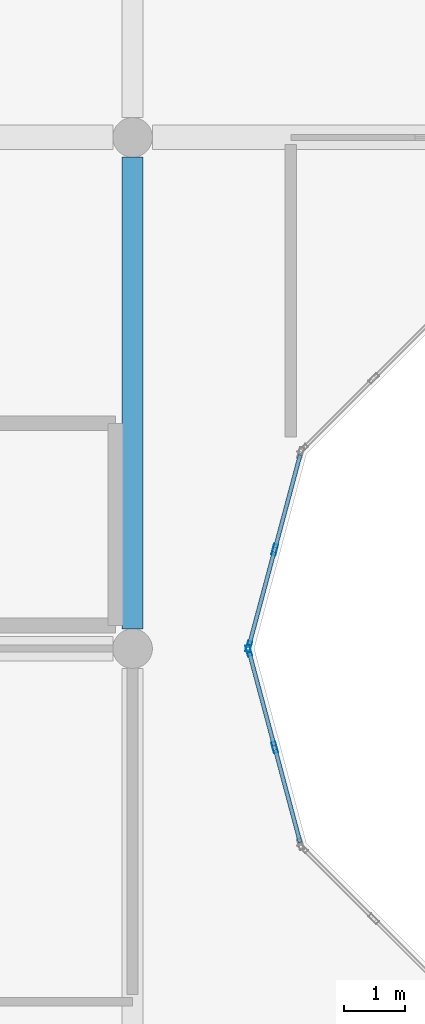
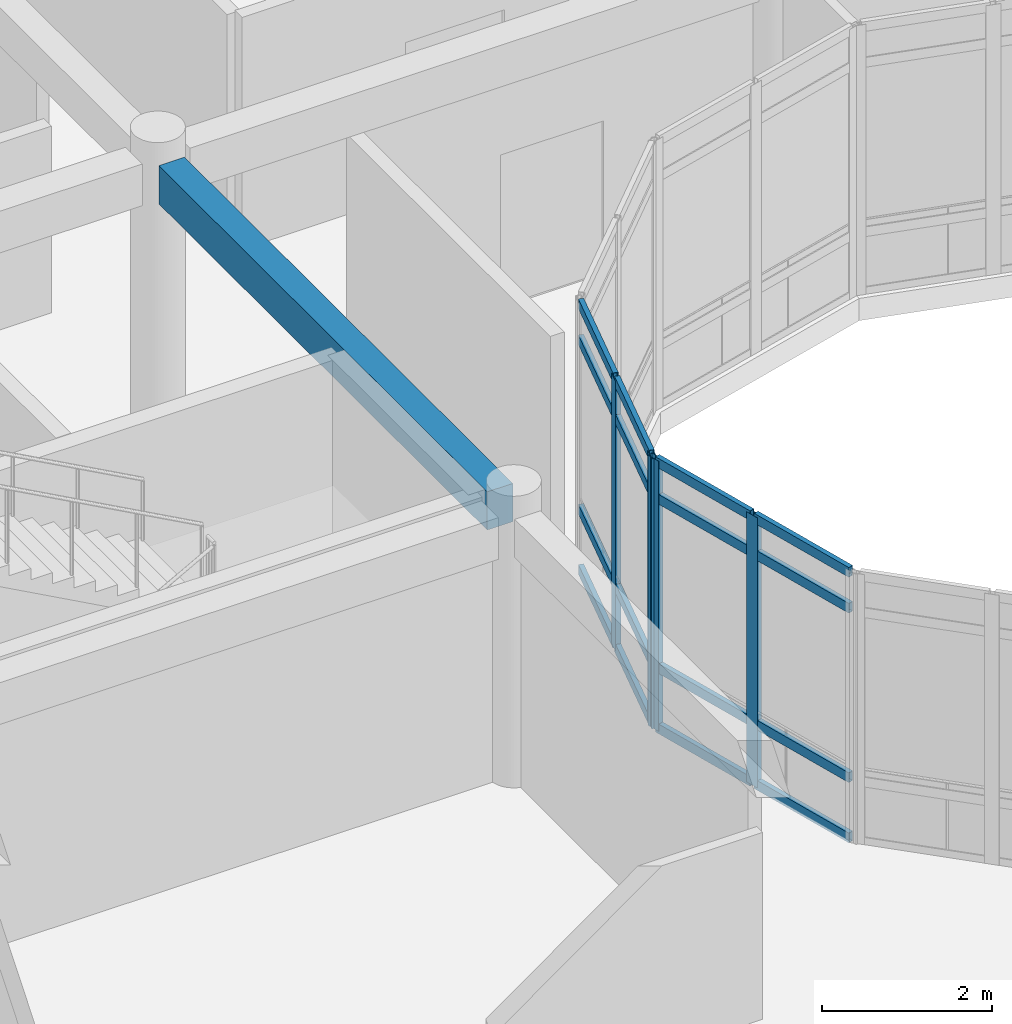
# One storey, part 37 of 119: 20 members, 1 beam, 2 elements without a shape of their own.
"""IFC4 building model written with IfcOpenShell, lengths in metres."""

from ifc_helpers import new_model, si_unit, direction, frame, origin, origin_2d, place, context, subcontext, project, spatial, rectangle, hollow_rectangle, extrude, material, layer, layer_set, material_profile, profile_set, type_object, element, aggregate, save


model = new_model("IFC4")

# Units and contexts
model_context = context("Model", 3, precision=1e-05, world=origin(), true_north=direction((0.0, 1.0)))
body_context = subcontext(model_context, "Body", "Model", "MODEL_VIEW")
ifc_project = project(units=[si_unit("LENGTHUNIT", "METRE"), si_unit("AREAUNIT", "SQUARE_METRE"), si_unit("VOLUMEUNIT", "CUBIC_METRE"), si_unit("PLANEANGLEUNIT", "RADIAN"), si_unit("MASSUNIT", "GRAM", prefix="KILO")], contexts=[model_context])

# Site, building, storey
site_placement = place(None, origin())
site = spatial("IfcSite", under=ifc_project, at=site_placement, CompositionType="ELEMENT")
building_placement = place(site_placement, origin())
building = spatial("IfcBuilding", under=site, at=building_placement, Name="Bramfleet General Hospital", CompositionType="ELEMENT")
storey_placement = place(building_placement, frame((0.0, 0.0, 14.39990234375)))
storey = spatial("IfcBuildingStorey", under=building, at=storey_placement, Name="L03", CompositionType="ELEMENT", Elevation=14.39990234375)

# Beam
ifc_material_1 = material(Name="Concrete C35/45", Category="concrete")
ifc_material_profile_1 = material_profile(ifc_material_1, rectangle(XDim=0.35009765625, YDim=0.550048828125, at=origin_2d()), Name="RC BM 550x350")
ifc_profile_set_1 = profile_set([ifc_material_profile_1], Name="Concrete C35/45")
beam_type = type_object("IfcBeamType", Name="BM-RC550", PredefinedType="BEAM", material=ifc_profile_set_1)
beam_placement = place(storey_placement, frame((109.199951171875, 67.52490234375, 3.625), z_axis=(0.0, 1.0, 0.0), x_axis=(-1.0, 0.0, 0.0)))
element("IfcBeam", 1, at=beam_placement, inside=storey, type_object=beam_type, Name="L03 Grid Beam Y 13-08", PredefinedType="BEAM", context=body_context, shape_type="SweptSolid", body=[
    extrude(rectangle(XDim=0.35009765625, YDim=0.550048828125, at=origin_2d()), origin(), (0.0, 0.0, 1.0), 7.75),
])

# Curtain wall, members
ifc_material_2 = material(Name="Anodised aluminium and low-E triple glazing", Category="aluminium")
ifc_layer_1 = layer(ifc_material_2, 0.179931640625, Name="CWT-CW-17")
ifc_layer_set_1 = layer_set([ifc_layer_1], Name="Anodised aluminium and low-E triple glazing")
curtain_wall_type_1 = type_object("IfcCurtainWallType", Name="CWT-CW-17", PredefinedType="USERDEFINED", material=ifc_layer_set_1)
curtain_wall_1_placement = place(storey_placement, origin())
curtain_wall_1 = element("IfcCurtainWall", 2, at=curtain_wall_1_placement, inside=storey, type_object=curtain_wall_type_1, Name="L03 East Laboratory Light Court Curtain Wall 1.1", ObjectType="Stick curtain wall", PredefinedType="USERDEFINED")
ifc_material_3 = material(Name="Anodised aluminium EN AW-6060", Category="aluminium")
ifc_material_profile_2 = material_profile(ifc_material_3, hollow_rectangle(XDim=0.070068359375, YDim=0.179931640625, WallThickness=0.00390625, at=origin_2d()), Name="ALU 180x70x4.0")
ifc_profile_set_2 = profile_set([ifc_material_profile_2], Name="Anodised aluminium EN AW-6060")
member_type_1 = type_object("IfcMemberType", Name="CWM-ALU180", PredefinedType="MULLION", material=ifc_profile_set_2)
member_1_placement = place(storey_placement, frame((111.109130859375, 67.166259765625, 0.0), z_axis=(0.0, 0.0, 1.0), x_axis=(0.965913556273, 0.258864833085, 0.0)))
member_1 = element("IfcMember", 3, at=member_1_placement, type_object=member_type_1, Name="CW-17 mullion 1", PredefinedType="MULLION", context=body_context, shape_type="SweptSolid", body=[
    extrude(hollow_rectangle(XDim=0.070068359375, YDim=0.179931640625, WallThickness=0.00390625, at=origin_2d()), origin(), (0.0, 0.0, 1.0), 3.89013671875),
])
member_2_placement = place(storey_placement, frame((111.535400390625, 65.574951171875, 0.0), z_axis=(0.0, 0.0, 1.0), x_axis=(0.965913556273, 0.258864833085, 0.0)))
member_2 = element("IfcMember", 4, at=member_2_placement, type_object=member_type_1, Name="CW-17 mullion 2", PredefinedType="MULLION", context=body_context, shape_type="SweptSolid", body=[
    extrude(hollow_rectangle(XDim=0.070068359375, YDim=0.179931640625, WallThickness=0.00390625, at=origin_2d()), origin(), (0.0, 0.0, 1.0), 3.89013671875),
])

ifc_layer_2 = layer(ifc_material_2, 0.179931640625, Name="CWT-CW-12")
ifc_layer_set_2 = layer_set([ifc_layer_2], Name="Anodised aluminium and low-E triple glazing")
curtain_wall_type_2 = type_object("IfcCurtainWallType", Name="CWT-CW-12", PredefinedType="USERDEFINED", material=ifc_layer_set_2)
curtain_wall_2_placement = place(storey_placement, origin())
curtain_wall_2 = element("IfcCurtainWall", 5, at=curtain_wall_2_placement, inside=storey, type_object=curtain_wall_type_2, Name="L03 East Laboratory Light Court Curtain Wall 12.1", ObjectType="Stick curtain wall", PredefinedType="USERDEFINED")
member_3_placement = place(storey_placement, frame((111.535400390625, 68.824951171875, 0.0), z_axis=(0.0, 0.0, 1.0), x_axis=(0.965913556273, -0.258864833085, 0.0)))
member_3 = element("IfcMember", 6, at=member_3_placement, type_object=member_type_1, Name="CW-12 mullion 2", PredefinedType="MULLION", context=body_context, shape_type="SweptSolid", body=[
    extrude(hollow_rectangle(XDim=0.070068359375, YDim=0.179931640625, WallThickness=0.00390625, at=origin_2d()), origin(), (0.0, 0.0, 1.0), 3.89013671875),
])
member_4_placement = place(storey_placement, frame((111.109130859375, 67.23388671875, 0.0), z_axis=(0.0, 0.0, 1.0), x_axis=(0.965913556273, -0.258864833085, 0.0)))
member_4 = element("IfcMember", 7, at=member_4_placement, type_object=member_type_1, Name="CW-12 mullion 3", PredefinedType="MULLION", context=body_context, shape_type="SweptSolid", body=[
    extrude(hollow_rectangle(XDim=0.070068359375, YDim=0.179931640625, WallThickness=0.00390625, at=origin_2d()), origin(), (0.0, 0.0, 1.0), 3.89013671875),
])

# Member
ifc_material_profile_3 = material_profile(ifc_material_3, hollow_rectangle(XDim=0.06494140625, YDim=0.139892578125, WallThickness=0.00390625, at=origin_2d()), Name="ALU 140x65x4.0")
ifc_profile_set_3 = profile_set([ifc_material_profile_3], Name="Anodised aluminium EN AW-6060")
member_type_2 = type_object("IfcMemberType", Name="CWT-ALU140", PredefinedType="USERDEFINED", material=ifc_profile_set_3)
member_5_placement = place(storey_placement, frame((111.1181640625, 67.13232421875, 0.03271484375), z_axis=(0.258818617489, -0.965925940868, 0.0), x_axis=(0.965925940868, 0.258818617489, 0.0)))
member_5 = element("IfcMember", 8, at=member_5_placement, type_object=member_type_2, Name="CW-17 transom 1.1", ObjectType="TRANSOM", PredefinedType="USERDEFINED", context=body_context, shape_type="SweptSolid", body=[
    extrude(hollow_rectangle(XDim=0.06494140625, YDim=0.139892578125, WallThickness=0.00390625, at=origin_2d()), origin(), (0.0, 0.0, 1.0), 1.5771484375),
])

member_6_placement = place(storey_placement, frame((111.1181640625, 67.13232421875, 0.900146484375), z_axis=(0.258818617489, -0.965925940868, 0.0), x_axis=(0.965925940868, 0.258818617489, 0.0)))
member_6 = element("IfcMember", 9, at=member_6_placement, type_object=member_type_2, Name="CW-17 transom 1.2", ObjectType="TRANSOM", PredefinedType="USERDEFINED", context=body_context, shape_type="SweptSolid", body=[
    extrude(hollow_rectangle(XDim=0.06494140625, YDim=0.139892578125, WallThickness=0.00390625, at=origin_2d()), origin(), (0.0, 0.0, 1.0), 1.5771484375),
])

member_7_placement = place(storey_placement, frame((111.1181640625, 67.13232421875, 3.340087890625), z_axis=(0.258818617489, -0.965925940868, 0.0), x_axis=(0.965925940868, 0.258818617489, 0.0)))
member_7 = element("IfcMember", 10, at=member_7_placement, type_object=member_type_2, Name="CW-17 transom 1.3", ObjectType="TRANSOM", PredefinedType="USERDEFINED", context=body_context, shape_type="SweptSolid", body=[
    extrude(hollow_rectangle(XDim=0.06494140625, YDim=0.139892578125, WallThickness=0.00390625, at=origin_2d()), origin(), (0.0, 0.0, 1.0), 1.5771484375),
])

member_8_placement = place(storey_placement, frame((111.1181640625, 67.13232421875, 3.857666015625), z_axis=(0.258818617489, -0.965925940868, 0.0), x_axis=(0.965925940868, 0.258818617489, 0.0)))
member_8 = element("IfcMember", 11, at=member_8_placement, type_object=member_type_2, Name="CW-17 transom 1.4", ObjectType="TRANSOM", PredefinedType="USERDEFINED", context=body_context, shape_type="SweptSolid", body=[
    extrude(hollow_rectangle(XDim=0.06494140625, YDim=0.139892578125, WallThickness=0.00390625, at=origin_2d()), origin(), (0.0, 0.0, 1.0), 1.5771484375),
])

member_9_placement = place(storey_placement, frame((111.544677734375, 65.541259765625, 0.03271484375), z_axis=(0.25877992417, -0.965936307862, 0.0), x_axis=(0.965936307862, 0.25877992417, 0.0)))
member_9 = element("IfcMember", 12, at=member_9_placement, type_object=member_type_2, Name="CW-17 transom 2.1", ObjectType="TRANSOM", PredefinedType="USERDEFINED", context=body_context, shape_type="SweptSolid", body=[
    extrude(hollow_rectangle(XDim=0.06494140625, YDim=0.139892578125, WallThickness=0.00390625, at=origin_2d()), origin(), (0.0, 0.0, 1.0), 1.577392578125),
])

member_10_placement = place(storey_placement, frame((111.544677734375, 65.541259765625, 0.900146484375), z_axis=(0.25877992417, -0.965936307862, 0.0), x_axis=(0.965936307862, 0.25877992417, 0.0)))
member_10 = element("IfcMember", 13, at=member_10_placement, type_object=member_type_2, Name="CW-17 transom 2.2", ObjectType="TRANSOM", PredefinedType="USERDEFINED", context=body_context, shape_type="SweptSolid", body=[
    extrude(hollow_rectangle(XDim=0.06494140625, YDim=0.139892578125, WallThickness=0.00390625, at=origin_2d()), origin(), (0.0, 0.0, 1.0), 1.577392578125),
])

member_11_placement = place(storey_placement, frame((111.544677734375, 65.541259765625, 3.340087890625), z_axis=(0.25877992417, -0.965936307862, 0.0), x_axis=(0.965936307862, 0.25877992417, 0.0)))
member_11 = element("IfcMember", 14, at=member_11_placement, type_object=member_type_2, Name="CW-17 transom 2.3", ObjectType="TRANSOM", PredefinedType="USERDEFINED", context=body_context, shape_type="SweptSolid", body=[
    extrude(hollow_rectangle(XDim=0.06494140625, YDim=0.139892578125, WallThickness=0.00390625, at=origin_2d()), origin(), (0.0, 0.0, 1.0), 1.577392578125),
])

member_12_placement = place(storey_placement, frame((111.544677734375, 65.541259765625, 3.857666015625), z_axis=(0.25877992417, -0.965936307862, 0.0), x_axis=(0.965936307862, 0.25877992417, 0.0)))
member_12 = element("IfcMember", 15, at=member_12_placement, type_object=member_type_2, Name="CW-17 transom 2.4", ObjectType="TRANSOM", PredefinedType="USERDEFINED", context=body_context, shape_type="SweptSolid", body=[
    extrude(hollow_rectangle(XDim=0.06494140625, YDim=0.139892578125, WallThickness=0.00390625, at=origin_2d()), origin(), (0.0, 0.0, 1.0), 1.577392578125),
])

aggregate(curtain_wall_1, [member_1, member_2, member_5, member_6, member_7, member_8, member_9, member_10, member_11, member_12])

member_13_placement = place(storey_placement, frame((111.952880859375, 70.38232421875, 0.03271484375), z_axis=(-0.258818617489, -0.965925940868, 0.0), x_axis=(0.965925940868, -0.258818617489, 0.0)))
member_13 = element("IfcMember", 16, at=member_13_placement, type_object=member_type_2, Name="CW-12 transom 1.1", ObjectType="TRANSOM", PredefinedType="USERDEFINED", context=body_context, shape_type="SweptSolid", body=[
    extrude(hollow_rectangle(XDim=0.06494140625, YDim=0.139892578125, WallThickness=0.00390625, at=origin_2d()), origin(), (0.0, 0.0, 1.0), 1.5771484375),
])

member_14_placement = place(storey_placement, frame((111.952880859375, 70.38232421875, 0.900146484375), z_axis=(-0.258818617489, -0.965925940868, 0.0), x_axis=(0.965925940868, -0.258818617489, 0.0)))
member_14 = element("IfcMember", 17, at=member_14_placement, type_object=member_type_2, Name="CW-12 transom 1.2", ObjectType="TRANSOM", PredefinedType="USERDEFINED", context=body_context, shape_type="SweptSolid", body=[
    extrude(hollow_rectangle(XDim=0.06494140625, YDim=0.139892578125, WallThickness=0.00390625, at=origin_2d()), origin(), (0.0, 0.0, 1.0), 1.5771484375),
])

member_15_placement = place(storey_placement, frame((111.952880859375, 70.38232421875, 3.340087890625), z_axis=(-0.258818617489, -0.965925940868, 0.0), x_axis=(0.965925940868, -0.258818617489, 0.0)))
member_15 = element("IfcMember", 18, at=member_15_placement, type_object=member_type_2, Name="CW-12 transom 1.3", ObjectType="TRANSOM", PredefinedType="USERDEFINED", context=body_context, shape_type="SweptSolid", body=[
    extrude(hollow_rectangle(XDim=0.06494140625, YDim=0.139892578125, WallThickness=0.00390625, at=origin_2d()), origin(), (0.0, 0.0, 1.0), 1.5771484375),
])

member_16_placement = place(storey_placement, frame((111.952880859375, 70.38232421875, 3.857666015625), z_axis=(-0.258818617489, -0.965925940868, 0.0), x_axis=(0.965925940868, -0.258818617489, 0.0)))
member_16 = element("IfcMember", 19, at=member_16_placement, type_object=member_type_2, Name="CW-12 transom 1.4", ObjectType="TRANSOM", PredefinedType="USERDEFINED", context=body_context, shape_type="SweptSolid", body=[
    extrude(hollow_rectangle(XDim=0.06494140625, YDim=0.139892578125, WallThickness=0.00390625, at=origin_2d()), origin(), (0.0, 0.0, 1.0), 1.5771484375),
])

member_17_placement = place(storey_placement, frame((111.5263671875, 68.791259765625, 0.03271484375), z_axis=(-0.25877992417, -0.965936307862, 0.0), x_axis=(0.965936307862, -0.25877992417, 0.0)))
member_17 = element("IfcMember", 20, at=member_17_placement, type_object=member_type_2, Name="CW-12 transom 2.1", ObjectType="TRANSOM", PredefinedType="USERDEFINED", context=body_context, shape_type="SweptSolid", body=[
    extrude(hollow_rectangle(XDim=0.06494140625, YDim=0.139892578125, WallThickness=0.00390625, at=origin_2d()), origin(), (0.0, 0.0, 1.0), 1.577392578125),
])

member_18_placement = place(storey_placement, frame((111.5263671875, 68.791259765625, 0.900146484375), z_axis=(-0.25877992417, -0.965936307862, 0.0), x_axis=(0.965936307862, -0.25877992417, 0.0)))
member_18 = element("IfcMember", 21, at=member_18_placement, type_object=member_type_2, Name="CW-12 transom 2.2", ObjectType="TRANSOM", PredefinedType="USERDEFINED", context=body_context, shape_type="SweptSolid", body=[
    extrude(hollow_rectangle(XDim=0.06494140625, YDim=0.139892578125, WallThickness=0.00390625, at=origin_2d()), origin(), (0.0, 0.0, 1.0), 1.577392578125),
])

member_19_placement = place(storey_placement, frame((111.5263671875, 68.791259765625, 3.340087890625), z_axis=(-0.25877992417, -0.965936307862, 0.0), x_axis=(0.965936307862, -0.25877992417, 0.0)))
member_19 = element("IfcMember", 22, at=member_19_placement, type_object=member_type_2, Name="CW-12 transom 2.3", ObjectType="TRANSOM", PredefinedType="USERDEFINED", context=body_context, shape_type="SweptSolid", body=[
    extrude(hollow_rectangle(XDim=0.06494140625, YDim=0.139892578125, WallThickness=0.00390625, at=origin_2d()), origin(), (0.0, 0.0, 1.0), 1.577392578125),
])

member_20_placement = place(storey_placement, frame((111.5263671875, 68.791259765625, 3.857666015625), z_axis=(-0.25877992417, -0.965936307862, 0.0), x_axis=(0.965936307862, -0.25877992417, 0.0)))
member_20 = element("IfcMember", 23, at=member_20_placement, type_object=member_type_2, Name="CW-12 transom 2.4", ObjectType="TRANSOM", PredefinedType="USERDEFINED", context=body_context, shape_type="SweptSolid", body=[
    extrude(hollow_rectangle(XDim=0.06494140625, YDim=0.139892578125, WallThickness=0.00390625, at=origin_2d()), origin(), (0.0, 0.0, 1.0), 1.577392578125),
])

aggregate(curtain_wall_2, [member_3, member_4, member_13, member_14, member_15, member_16, member_17, member_18, member_19, member_20])

save(model, "model.ifc")
